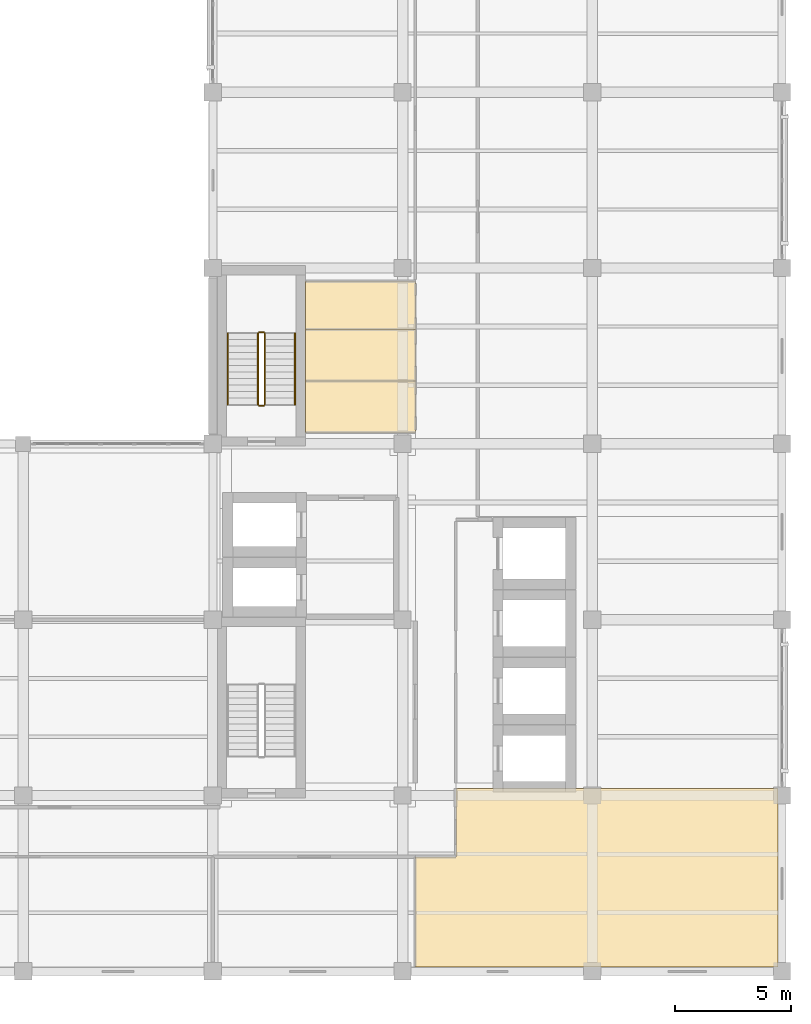
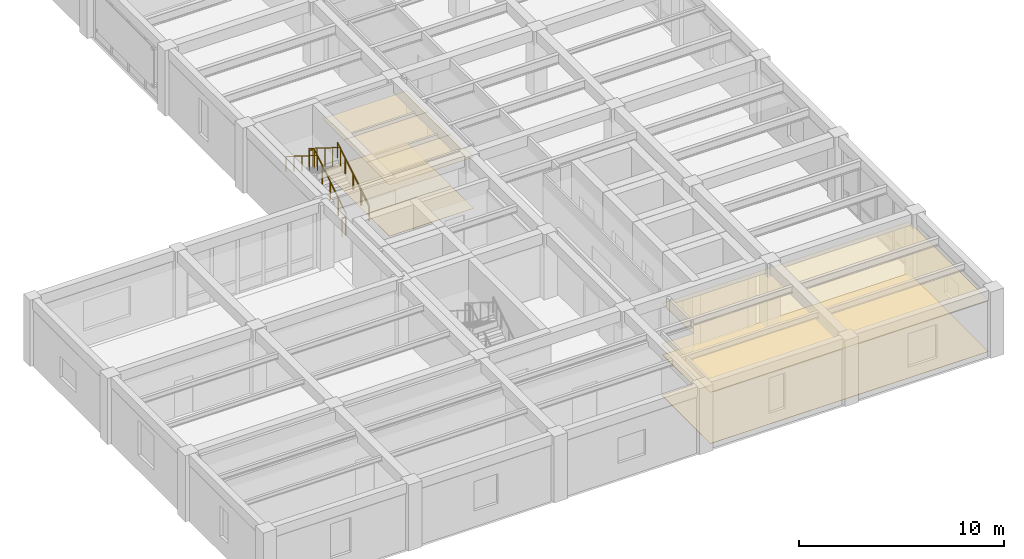
# One storey, part 13 of 14: 8 coverings, 6 railings.
"""IFC4 building model written with IfcOpenShell, lengths in metres."""

from ifc_helpers import new_model, si_unit, direction, frame, origin, origin_2d, place, context, subcontext, project, spatial, polyline, circle, outline, extrude, material, layer, layer_set, type_object, element, save


model = new_model("IFC4")

# Units and contexts
model_context = context("Model", 3, precision=1e-05, world=origin(), true_north=direction((0.0, 1.0)))
body_context = subcontext(model_context, "Body", "Model", "MODEL_VIEW")
ifc_project = project(units=[si_unit("LENGTHUNIT", "METRE"), si_unit("AREAUNIT", "SQUARE_METRE"), si_unit("VOLUMEUNIT", "CUBIC_METRE"), si_unit("PLANEANGLEUNIT", "RADIAN"), si_unit("MASSUNIT", "GRAM", prefix="KILO")], contexts=[model_context])

# Site, building, storey
site_placement = place(None, origin())
site = spatial("IfcSite", under=ifc_project, at=site_placement, CompositionType="ELEMENT")
building_placement = place(site_placement, origin())
building = spatial("IfcBuilding", under=site, at=building_placement, Name="Qandaris Square Conservatory and Botanical Centre", CompositionType="ELEMENT")
storey_placement = place(building_placement, frame((0.0, 0.0, 49.199951171875)))
storey = spatial("IfcBuildingStorey", under=building, at=storey_placement, Name="L11", CompositionType="ELEMENT", Elevation=49.199951171875)

# Coverings
ifc_material_1 = material(Name="Gypsum Plasterboard", Category="gypsum")
ifc_layer_1 = layer(ifc_material_1, 0.02490234375)
ifc_layer_set_1 = layer_set([ifc_layer_1], Name="Gypsum Plasterboard")
covering_type_1 = type_object("IfcCoveringType", Name="Perforated Acoustic Lab Ceiling Tile", PredefinedType="CEILING", material=ifc_layer_set_1)
covering_1_placement = place(storey_placement, frame((0.0, 0.0, 3.050048828125)))
element("IfcCovering", 1, at=covering_1_placement, inside=storey, type_object=covering_type_1, Name="Accessible Toilet L11 Ceiling", PredefinedType="CEILING", context=body_context, shape_type="SweptSolid", body=[
    extrude(outline(polyline([(147.949951171875, 42.1201171875), (147.949951171875, 39.89990234375), (143.199951171875, 39.89990234375), (143.199951171875, 42.1201171875), (147.949951171875, 42.1201171875)])), origin(), (0.0, 0.0, 1.0), 0.02490234375),
])
covering_2_placement = place(storey_placement, frame((0.0, 0.0, 3.050048828125)))
element("IfcCovering", 2, at=covering_2_placement, inside=storey, type_object=covering_type_1, Name="Staff Male Toilet L11 Ceiling", PredefinedType="CEILING", context=body_context, shape_type="SweptSolid", body=[
    extrude(outline(polyline([(147.949951171875, 44.340087890625), (147.949951171875, 42.1201171875), (143.199951171875, 42.1201171875), (143.199951171875, 44.340087890625), (147.949951171875, 44.340087890625)])), origin(), (0.0, 0.0, 1.0), 0.02490234375),
])
covering_3_placement = place(storey_placement, frame((0.0, 0.0, 3.050048828125)))
element("IfcCovering", 3, at=covering_3_placement, inside=storey, type_object=covering_type_1, Name="Staff Female Toilet L11 Ceiling", PredefinedType="CEILING", context=body_context, shape_type="SweptSolid", body=[
    extrude(outline(polyline([(147.949951171875, 46.419921875), (147.949951171875, 44.340087890625), (143.199951171875, 44.340087890625), (143.199951171875, 46.419921875), (147.949951171875, 46.419921875)])), origin(), (0.0, 0.0, 1.0), 0.02490234375),
])
covering_4_placement = place(storey_placement, frame((0.0, 0.0, 3.050048828125)))
element("IfcCovering", 4, at=covering_4_placement, inside=storey, type_object=covering_type_1, Name="Floor L11 Instrument and Balance Room Ceiling", PredefinedType="CEILING", context=body_context, shape_type="SweptSolid", body=[
    extrude(outline(polyline([(147.949951171875, 21.550048828125), (149.699951171875, 21.550048828125), (149.699951171875, 23.699951171875), (149.699951171875, 24.5), (163.6201171875, 24.5), (163.6201171875, 16.780029296875), (147.949951171875, 16.780029296875), (147.949951171875, 21.550048828125)])), origin(), (0.0, 0.0, 1.0), 0.02490234375),
])
ifc_material_2 = material(Name="Epoxy Resin Screed", Category="finish")
ifc_layer_2 = layer(ifc_material_2, 0.014892578125)
ifc_layer_set_2 = layer_set([ifc_layer_2], Name="Epoxy Resin Screed")
covering_type_2 = type_object("IfcCoveringType", Name="Seamless Epoxy Laboratory Flooring", PredefinedType="FLOORING", material=ifc_layer_set_2)
covering_5_placement = place(storey_placement, origin())
element("IfcCovering", 5, at=covering_5_placement, inside=storey, type_object=covering_type_2, Name="Accessible Toilet L11 Flooring", PredefinedType="FLOORING", context=body_context, shape_type="SweptSolid", body=[
    extrude(outline(polyline([(147.949951171875, 42.1201171875), (147.949951171875, 39.89990234375), (143.199951171875, 39.89990234375), (143.199951171875, 42.1201171875), (147.949951171875, 42.1201171875)])), origin(), (0.0, 0.0, 1.0), 0.01513671875),
])
covering_6_placement = place(storey_placement, origin())
element("IfcCovering", 6, at=covering_6_placement, inside=storey, type_object=covering_type_2, Name="Staff Male Toilet L11 Flooring", PredefinedType="FLOORING", context=body_context, shape_type="SweptSolid", body=[
    extrude(outline(polyline([(147.949951171875, 44.340087890625), (147.949951171875, 42.1201171875), (143.199951171875, 42.1201171875), (143.199951171875, 44.340087890625), (147.949951171875, 44.340087890625)])), origin(), (0.0, 0.0, 1.0), 0.01513671875),
])
covering_7_placement = place(storey_placement, origin())
element("IfcCovering", 7, at=covering_7_placement, inside=storey, type_object=covering_type_2, Name="Staff Female Toilet L11 Flooring", PredefinedType="FLOORING", context=body_context, shape_type="SweptSolid", body=[
    extrude(outline(polyline([(147.949951171875, 46.419921875), (147.949951171875, 44.340087890625), (143.199951171875, 44.340087890625), (143.199951171875, 46.419921875), (147.949951171875, 46.419921875)])), origin(), (0.0, 0.0, 1.0), 0.01513671875),
])
covering_8_placement = place(storey_placement, origin())
element("IfcCovering", 8, at=covering_8_placement, inside=storey, type_object=covering_type_2, Name="Floor L11 Instrument and Balance Room Flooring", PredefinedType="FLOORING", context=body_context, shape_type="SweptSolid", body=[
    extrude(outline(polyline([(147.949951171875, 21.550048828125), (149.699951171875, 21.550048828125), (149.699951171875, 23.699951171875), (149.699951171875, 24.5), (163.6201171875, 24.5), (163.6201171875, 16.780029296875), (147.949951171875, 16.780029296875), (147.949951171875, 21.550048828125)])), origin(), (0.0, 0.0, 1.0), 0.01513671875),
])

# Railings
ifc_material_3 = material(Name="Stainless Steel", Category="steel")
railing_type_1 = type_object("IfcRailingType", Name="Stair Tubular Handrail 920mm", PredefinedType="HANDRAIL", material=ifc_material_3)
railing_1_placement = place(storey_placement, frame((142.75, 41.10009765625, 0.35009765625)))
element("IfcRailing", 9, at=railing_1_placement, inside=storey, type_object=railing_type_1, Name="L11 ST-2 stair handrail 1", PredefinedType="HANDRAIL", context=body_context, shape_type="SweptSolid", body=[
    extrude(circle(Radius=0.02392578125, at=origin_2d()), frame((0.0, 0.0, 0.89599609375), z_axis=(0.0, 0.847979421464, 0.530029150871), x_axis=(-1.0, 0.0, 0.0)), (0.0, 0.0, 1.0), 3.632080078125),
    extrude(circle(Radius=0.02099609375, at=origin_2d()), origin(), (0.0, 0.0, 1.0), 0.871826171875),
    extrude(circle(Radius=0.02099609375, at=origin_2d()), frame((0.0, 0.77001953125, 0.481201171875)), (0.0, 0.0, 1.0), 0.871826171875),
    extrude(circle(Radius=0.02099609375, at=origin_2d()), frame((0.0, 1.5400390625, 0.96240234375)), (0.0, 0.0, 1.0), 0.871826171875),
    extrude(circle(Radius=0.02099609375, at=origin_2d()), frame((0.0, 2.309814453125, 1.44384765625)), (0.0, 0.0, 1.0), 0.871826171875),
    extrude(circle(Radius=0.02099609375, at=origin_2d()), frame((0.0, 3.079833984375, 1.925048828125)), (0.0, 0.0, 1.0), 0.871826171875),
])
railing_2_placement = place(storey_placement, frame((139.85009765625, 44.179931640625, 2.449951171875)))
element("IfcRailing", 10, at=railing_2_placement, inside=storey, type_object=railing_type_1, Name="L11 ST-2 stair handrail 2", PredefinedType="HANDRAIL", context=body_context, shape_type="SweptSolid", body=[
    extrude(circle(Radius=0.02392578125, at=origin_2d()), frame((0.0, 0.0, 0.89599609375), z_axis=(0.0, -0.847979421464, 0.530029150871), x_axis=(1.0, 0.0, 0.0)), (0.0, 0.0, 1.0), 3.632080078125),
    extrude(circle(Radius=0.02099609375, at=origin_2d()), origin(), (0.0, 0.0, 1.0), 0.871826171875),
    extrude(circle(Radius=0.02099609375, at=origin_2d()), frame((0.0, -0.77001953125, 0.481201171875)), (0.0, 0.0, 1.0), 0.871826171875),
    extrude(circle(Radius=0.02099609375, at=origin_2d()), frame((0.0, -1.5400390625, 0.96240234375)), (0.0, 0.0, 1.0), 0.871826171875),
    extrude(circle(Radius=0.02099609375, at=origin_2d()), frame((0.0, -2.309814453125, 1.44384765625)), (0.0, 0.0, 1.0), 0.871826171875),
    extrude(circle(Radius=0.02099609375, at=origin_2d()), frame((0.0, -3.079833984375, 1.925048828125)), (0.0, 0.0, 1.0), 0.871826171875),
])
railing_type_2 = type_object("IfcRailingType", Name="Stairwell & Atrium Guardrail 1120mm", PredefinedType="GUARDRAIL", material=ifc_material_3)
railing_3_placement = place(storey_placement, frame((141.449951171875, 41.10009765625, 0.175048828125)))
element("IfcRailing", 11, at=railing_3_placement, inside=storey, type_object=railing_type_2, Name="L11 ST-2 stair guard 1", PredefinedType="GUARDRAIL", context=body_context, shape_type="SweptSolid", body=[
    extrude(circle(Radius=0.02392578125, at=origin_2d()), frame((0.0, 0.0, 1.09619140625), z_axis=(0.0, 0.847979421464, 0.530029150871), x_axis=(-1.0, 0.0, 0.0)), (0.0, 0.0, 1.0), 3.632080078125),
    extrude(circle(Radius=0.02099609375, at=origin_2d()), origin(), (0.0, 0.0, 1.0), 1.072021484375),
    extrude(circle(Radius=0.02099609375, at=origin_2d()), frame((0.0, 0.77001953125, 0.481201171875)), (0.0, 0.0, 1.0), 1.072021484375),
    extrude(circle(Radius=0.02099609375, at=origin_2d()), frame((0.0, 1.5400390625, 0.96240234375)), (0.0, 0.0, 1.0), 1.072021484375),
    extrude(circle(Radius=0.02099609375, at=origin_2d()), frame((0.0, 2.309814453125, 1.44384765625)), (0.0, 0.0, 1.0), 1.072021484375),
    extrude(circle(Radius=0.02099609375, at=origin_2d()), frame((0.0, 3.079833984375, 1.925048828125)), (0.0, 0.0, 1.0), 1.072021484375),
])
railing_4_placement = place(storey_placement, frame((141.39990234375, 44.22998046875, 2.10009765625)))
element("IfcRailing", 12, at=railing_4_placement, inside=storey, type_object=railing_type_2, Name="L11 ST-2 stair guard 2", PredefinedType="GUARDRAIL", context=body_context, shape_type="SweptSolid", body=[
    extrude(circle(Radius=0.02392578125, at=origin_2d()), frame((0.0, 0.0, 1.09619140625), z_axis=(-1.0, 0.0, 0.0), x_axis=(0.0, -1.0, 0.0)), (0.0, 0.0, 1.0), 0.199951171875),
    extrude(circle(Radius=0.02099609375, at=origin_2d()), origin(), (0.0, 0.0, 1.0), 1.072021484375),
    extrude(circle(Radius=0.02099609375, at=origin_2d()), frame((-0.199951171875, 0.0, 0.0)), (0.0, 0.0, 1.0), 1.072021484375),
])
railing_5_placement = place(storey_placement, frame((141.14990234375, 44.179931640625, 2.275146484375)))
element("IfcRailing", 13, at=railing_5_placement, inside=storey, type_object=railing_type_2, Name="L11 ST-2 stair guard 3", PredefinedType="GUARDRAIL", context=body_context, shape_type="SweptSolid", body=[
    extrude(circle(Radius=0.02392578125, at=origin_2d()), frame((0.0, 0.0, 1.09619140625), z_axis=(0.0, -0.848009633417, 0.529980812513), x_axis=(1.0, 0.0, 0.0)), (0.0, 0.0, 1.0), 3.6318359375),
    extrude(circle(Radius=0.02099609375, at=origin_2d()), origin(), (0.0, 0.0, 1.0), 1.072021484375),
    extrude(circle(Radius=0.02099609375, at=origin_2d()), frame((0.0, -0.77001953125, 0.481201171875)), (0.0, 0.0, 1.0), 1.072021484375),
    extrude(circle(Radius=0.02099609375, at=origin_2d()), frame((0.0, -1.5400390625, 0.96240234375)), (0.0, 0.0, 1.0), 1.072021484375),
    extrude(circle(Radius=0.02099609375, at=origin_2d()), frame((0.0, -2.309814453125, 1.443603515625)), (0.0, 0.0, 1.0), 1.072021484375),
    extrude(circle(Radius=0.02099609375, at=origin_2d()), frame((0.0, -3.079833984375, 1.9248046875)), (0.0, 0.0, 1.0), 1.072021484375),
])
railing_6_placement = place(storey_placement, frame((141.39990234375, 41.050048828125, 0.0)))
element("IfcRailing", 14, at=railing_6_placement, inside=storey, type_object=railing_type_2, Name="L11 ST-2 stair guard 4", PredefinedType="GUARDRAIL", context=body_context, shape_type="SweptSolid", body=[
    extrude(circle(Radius=0.02392578125, at=origin_2d()), frame((0.0, 0.0, 1.09619140625), z_axis=(-1.0, 0.0, 0.0), x_axis=(0.0, -1.0, 0.0)), (0.0, 0.0, 1.0), 0.199951171875),
    extrude(circle(Radius=0.02099609375, at=origin_2d()), origin(), (0.0, 0.0, 1.0), 1.072021484375),
    extrude(circle(Radius=0.02099609375, at=origin_2d()), frame((-0.199951171875, 0.0, 0.0)), (0.0, 0.0, 1.0), 1.072021484375),
])

save(model, "model.ifc")
